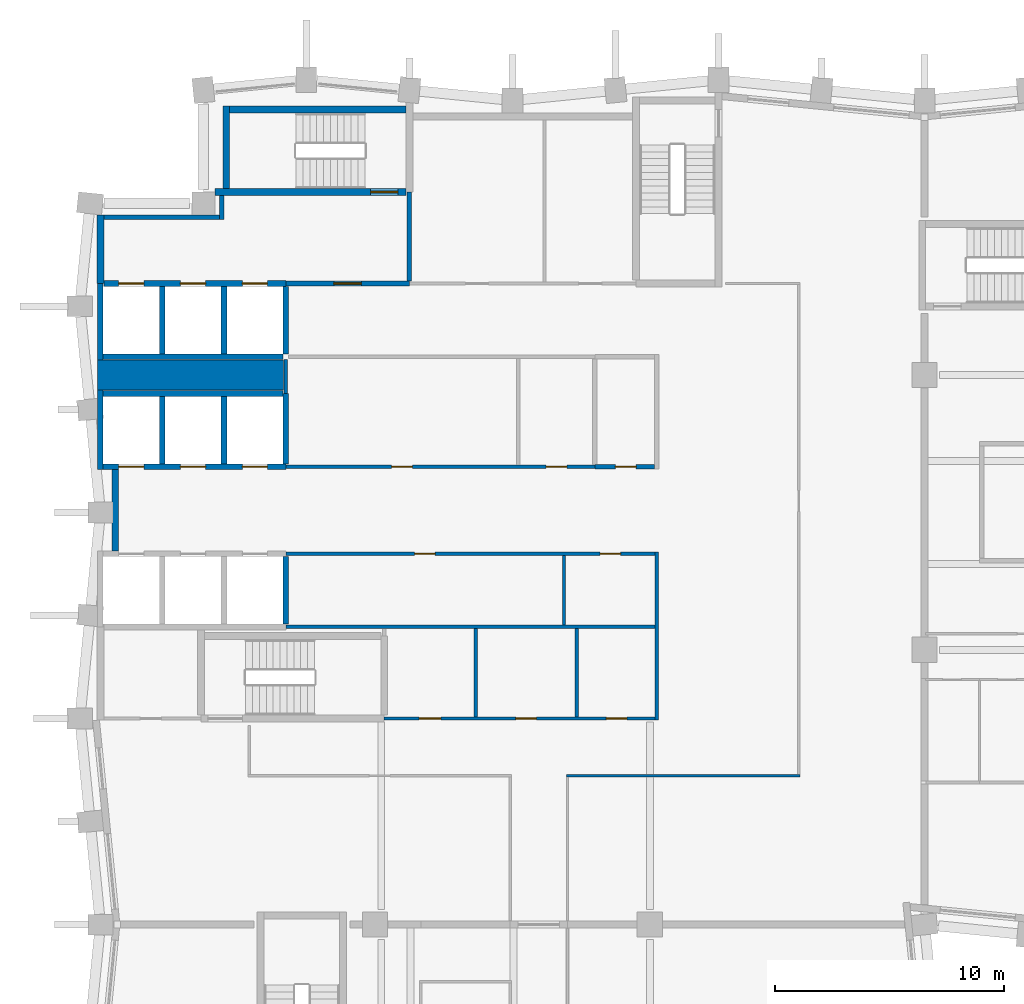
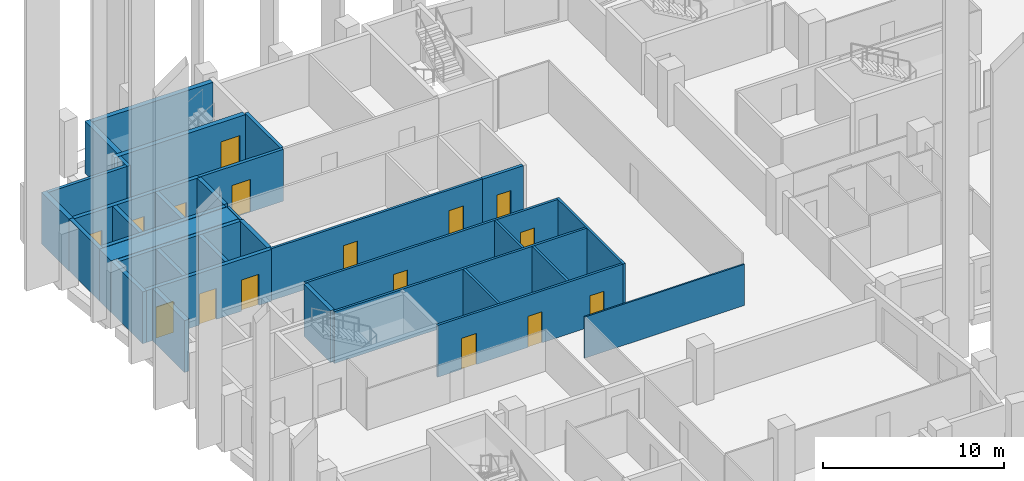
# One storey, part 12 of 18: 34 walls, 16 doors, 16 openings.
"""IFC4 building model written with IfcOpenShell, lengths in metres."""

from ifc_helpers import new_model, si_unit, direction, frame, frame_2d, origin, place, context, subcontext, project, spatial, rectangle, extrude, material, layer, layer_set, type_object, element, fill, save


model = new_model("IFC4")

# Units and contexts
model_context = context("Model", 3, precision=1e-05, world=origin(), true_north=direction((0.0, 1.0)))
body_context = subcontext(model_context, "Body", "Model", "MODEL_VIEW")
ifc_project = project(units=[si_unit("LENGTHUNIT", "METRE"), si_unit("AREAUNIT", "SQUARE_METRE"), si_unit("VOLUMEUNIT", "CUBIC_METRE"), si_unit("PLANEANGLEUNIT", "RADIAN"), si_unit("MASSUNIT", "GRAM", prefix="KILO")], contexts=[model_context])

# Site, building, storey
site_placement = place(None, origin())
site = spatial("IfcSite", under=ifc_project, at=site_placement, CompositionType="ELEMENT")
building_placement = place(site_placement, origin())
building = spatial("IfcBuilding", under=site, at=building_placement, Name="Brondeck Convention Tower", CompositionType="ELEMENT")
storey_placement = place(building_placement, frame((0.0, 0.0, 143.39990234375)))
storey = spatial("IfcBuildingStorey", under=building, at=storey_placement, Name="L34", CompositionType="ELEMENT", Elevation=143.39990234375)

# Wall, openings, doors
ifc_material_1 = material(Name="Concrete C70/85", Category="concrete")
ifc_layer_1 = layer(ifc_material_1, 0.14990234375)
ifc_layer_set_1 = layer_set([ifc_layer_1], Name="Core beam-seat wall 150 Concrete C70/85")
wall_type_1 = type_object("IfcWallType", Name="Core beam-seat wall 150 Concrete C70/85", PredefinedType="SHEAR", material=ifc_layer_set_1)
wall_1_placement = place(storey_placement, frame((12.39990234375, 36.0, 0.0), z_axis=(0.0, 0.0, 1.0), x_axis=(1.0, 0.0, 0.0)))
wall_1 = element("IfcWall", 1, at=wall_1_placement, inside=storey, type_object=wall_type_1, Name="L34 core wall", PredefinedType="SHEAR", context=body_context, shape_type="SweptSolid", body=[
    extrude(rectangle(XDim=11.8251953125, YDim=0.14990234375, at=frame_2d((5.91259765625, 0.0))), origin(), (0.0, 0.0, 1.0), 3.5),
])
opening_1_placement = place(wall_1_placement, frame((1.52490234375, 0.0, 0.0)))
opening_1 = element("IfcOpeningElement", 2, at=opening_1_placement, cuts=wall_1, Name="Opening C20-03", PredefinedType="OPENING", context=body_context, shape_type="SweptSolid", body=[
    extrude(rectangle(XDim=0.949951171875, YDim=2.10009765625, at=frame_2d((0.47509765625, 1.050048828125))), frame((0.0, 0.0849609375, 0.0), z_axis=(0.0, -1.0, 0.0), x_axis=(1.0, 0.0, 0.0)), (0.0, 0.0, 1.0), 0.169921875),
])
opening_2_placement = place(wall_1_placement, frame((5.75, 0.0, 0.0)))
opening_2 = element("IfcOpeningElement", 3, at=opening_2_placement, cuts=wall_1, Name="Opening C20-04", PredefinedType="OPENING", context=body_context, shape_type="SweptSolid", body=[
    extrude(rectangle(XDim=0.89990234375, YDim=2.10009765625, at=frame_2d((0.449951171875, 1.050048828125))), frame((0.0, 0.0849609375, 0.0), z_axis=(0.0, -1.0, 0.0), x_axis=(1.0, 0.0, 0.0)), (0.0, 0.0, 1.0), 0.169921875),
])
opening_3_placement = place(wall_1_placement, frame((9.699951171875, 0.0, 0.0)))
opening_3 = element("IfcOpeningElement", 4, at=opening_3_placement, cuts=wall_1, Name="Opening C20-05", PredefinedType="OPENING", context=body_context, shape_type="SweptSolid", body=[
    extrude(rectangle(XDim=0.89990234375, YDim=2.10009765625, at=frame_2d((0.449951171875, 1.050048828125))), frame((0.0, 0.0849609375, 0.0), z_axis=(0.0, -1.0, 0.0), x_axis=(1.0, 0.0, 0.0)), (0.0, 0.0, 1.0), 0.169921875),
])
ifc_material_2 = material(Name="Steel fire door", Category="steel")
door_type_1 = type_object("IfcDoorType", Name="Room door 900x2100 EI 60", OperationType="NOTDEFINED", PredefinedType="DOOR", material=ifc_material_2)
door_1_placement = place(opening_2_placement, origin())
door_1 = element("IfcDoor", 5, at=door_1_placement, inside=storey, type_object=door_type_1, Name="L34 Room door FR-2", OperationType="SINGLE_SWING_LEFT", OverallHeight=2.10009765625, OverallWidth=0.89990234375, PredefinedType="DOOR", context=body_context, shape_type="SweptSolid", body=[
    extrude(rectangle(XDim=0.89990234375, YDim=2.10009765625, at=frame_2d((0.449951171875, 1.050048828125))), frame((0.0, 0.02490234375, 0.0), z_axis=(0.0, -1.0, 0.0), x_axis=(1.0, 0.0, 0.0)), (0.0, 0.0, 1.0), 0.050048828125),
])
fill(opening_2, door_1)
door_2_placement = place(opening_3_placement, origin())
door_2 = element("IfcDoor", 6, at=door_2_placement, inside=storey, type_object=door_type_1, Name="L34 Room door FR-3", OperationType="SINGLE_SWING_RIGHT", OverallHeight=2.10009765625, OverallWidth=0.89990234375, PredefinedType="DOOR", context=body_context, shape_type="SweptSolid", body=[
    extrude(rectangle(XDim=0.89990234375, YDim=2.10009765625, at=frame_2d((0.449951171875, 1.050048828125))), frame((0.0, 0.02490234375, 0.0), z_axis=(0.0, -1.0, 0.0), x_axis=(1.0, 0.0, 0.0)), (0.0, 0.0, 1.0), 0.050048828125),
])
fill(opening_3, door_2)
door_type_2 = type_object("IfcDoorType", Name="Room door 950x2100 EI 60", OperationType="NOTDEFINED", PredefinedType="DOOR", material=ifc_material_2)
door_3_placement = place(opening_1_placement, origin())
door_3 = element("IfcDoor", 7, at=door_3_placement, inside=storey, type_object=door_type_2, Name="L34 Room door FR-1", OperationType="SINGLE_SWING_RIGHT", OverallHeight=2.10009765625, OverallWidth=0.949951171875, PredefinedType="DOOR", context=body_context, shape_type="SweptSolid", body=[
    extrude(rectangle(XDim=0.949951171875, YDim=2.10009765625, at=frame_2d((0.47509765625, 1.050048828125))), frame((0.0, 0.02490234375, 0.0), z_axis=(0.0, -1.0, 0.0), x_axis=(1.0, 0.0, 0.0)), (0.0, 0.0, 1.0), 0.050048828125),
])
fill(opening_1, door_3)

# Walls
ifc_layer_2 = layer(ifc_material_1, 0.300048828125)
ifc_layer_set_2 = layer_set([ifc_layer_2], Name="Core outer wall 300 Concrete C70/85")
wall_type_2 = type_object("IfcWallType", Name="Core outer wall 300 Concrete C70/85", PredefinedType="SHEAR", material=ifc_layer_set_2)
wall_2_placement = place(storey_placement, frame((0.0, 55.0, 0.0), z_axis=(0.0, 0.0, 1.0), x_axis=(0.0, 1.0, 0.0)))
element("IfcWall", 8, at=wall_2_placement, inside=storey, type_object=wall_type_2, Name="L34 core wall", PredefinedType="SHEAR", context=body_context, shape_type="SweptSolid", body=[
    extrude(rectangle(XDim=3.0, YDim=0.300048828125, at=frame_2d((1.5, 0.0))), origin(), (0.0, 0.0, 1.0), 3.5),
])
wall_3_placement = place(storey_placement, frame((0.64990234375, 43.324951171875, 0.0), z_axis=(0.0, 0.0, 1.0), x_axis=(0.0, 1.0, 0.0)))
element("IfcWall", 9, at=wall_3_placement, inside=storey, type_object=wall_type_2, Name="L34 core wall", PredefinedType="SHEAR", context=body_context, shape_type="SweptSolid", body=[
    extrude(rectangle(XDim=3.550048828125, YDim=0.300048828125, at=frame_2d((1.77490234375, 0.0))), origin(), (0.0, 0.0, 1.0), 3.5),
])
ifc_material_3 = material(Name="Fire-rated gypsum board partition")
ifc_layer_3 = layer(ifc_material_3, 0.14990234375)
ifc_layer_set_3 = layer_set([ifc_layer_3], Name="Core partition 150 EI 60")
wall_type_3 = type_object("IfcWallType", Name="Core partition 150 EI 60", PredefinedType="PARTITIONING", material=ifc_layer_set_3)
wall_4_placement = place(storey_placement, frame((8.10009765625, 40.0, 0.0), z_axis=(0.0, 0.0, 1.0), x_axis=(1.0, 0.0, 0.0)))
element("IfcWall", 10, at=wall_4_placement, inside=storey, type_object=wall_type_3, Name="L34 core wall", PredefinedType="PARTITIONING", context=body_context, shape_type="SweptSolid", body=[
    extrude(rectangle(XDim=16.125, YDim=0.14990234375, at=frame_2d((8.0625, 0.0))), origin(), (0.0, 0.0, 1.0), 3.5),
])

# Wall, openings, doors
wall_5_placement = place(storey_placement, frame((8.10009765625, 43.199951171875, 0.0), z_axis=(0.0, 0.0, 1.0), x_axis=(1.0, 0.0, 0.0)))
wall_5 = element("IfcWall", 11, at=wall_5_placement, inside=storey, type_object=wall_type_3, Name="L34 core wall", PredefinedType="PARTITIONING", context=body_context, shape_type="SweptSolid", body=[
    extrude(rectangle(XDim=16.125, YDim=0.14990234375, at=frame_2d((8.0625, 0.0))), origin(), (0.0, 0.0, 1.0), 3.5),
])
opening_4_placement = place(wall_5_placement, frame((5.625, 0.0, 0.0)))
opening_4 = element("IfcOpeningElement", 12, at=opening_4_placement, cuts=wall_5, Name="Opening C20-09", PredefinedType="OPENING", context=body_context, shape_type="SweptSolid", body=[
    extrude(rectangle(XDim=0.89990234375, YDim=2.10009765625, at=frame_2d((0.449951171875, 1.050048828125))), frame((0.0, 0.0849609375, 0.0), z_axis=(0.0, -1.0, 0.0), x_axis=(1.0, 0.0, 0.0)), (0.0, 0.0, 1.0), 0.169921875),
])
opening_5_placement = place(wall_5_placement, frame((13.72509765625, 0.0, 0.0)))
opening_5 = element("IfcOpeningElement", 13, at=opening_5_placement, cuts=wall_5, Name="Opening C20-10", PredefinedType="OPENING", context=body_context, shape_type="SweptSolid", body=[
    extrude(rectangle(XDim=0.89990234375, YDim=2.10009765625, at=frame_2d((0.449951171875, 1.050048828125))), frame((0.0, 0.0849609375, 0.0), z_axis=(0.0, -1.0, 0.0), x_axis=(1.0, 0.0, 0.0)), (0.0, 0.0, 1.0), 0.169921875),
])
door_4_placement = place(opening_4_placement, origin())
door_4 = element("IfcDoor", 14, at=door_4_placement, inside=storey, type_object=door_type_1, Name="L34 Room door FZ-S-8.1-1", OperationType="SINGLE_SWING_RIGHT", OverallHeight=2.10009765625, OverallWidth=0.89990234375, PredefinedType="DOOR", context=body_context, shape_type="SweptSolid", body=[
    extrude(rectangle(XDim=0.89990234375, YDim=2.10009765625, at=frame_2d((0.449951171875, 1.050048828125))), frame((0.0, 0.02490234375, 0.0), z_axis=(0.0, -1.0, 0.0), x_axis=(1.0, 0.0, 0.0)), (0.0, 0.0, 1.0), 0.050048828125),
])
fill(opening_4, door_4)
door_5_placement = place(opening_5_placement, origin())
door_5 = element("IfcDoor", 15, at=door_5_placement, inside=storey, type_object=door_type_1, Name="L34 Room door FZ-S-8.1-2", OperationType="SINGLE_SWING_LEFT", OverallHeight=2.10009765625, OverallWidth=0.89990234375, PredefinedType="DOOR", context=body_context, shape_type="SweptSolid", body=[
    extrude(rectangle(XDim=0.89990234375, YDim=2.10009765625, at=frame_2d((0.449951171875, 1.050048828125))), frame((0.0, 0.02490234375, 0.0), z_axis=(0.0, -1.0, 0.0), x_axis=(1.0, 0.0, 0.0)), (0.0, 0.0, 1.0), 0.050048828125),
])
fill(opening_5, door_5)

wall_6_placement = place(storey_placement, frame((8.10009765625, 47.0, 0.0), z_axis=(0.0, 0.0, 1.0), x_axis=(1.0, 0.0, 0.0)))
wall_6 = element("IfcWall", 16, at=wall_6_placement, inside=storey, type_object=wall_type_3, Name="L34 core wall", PredefinedType="PARTITIONING", context=body_context, shape_type="SweptSolid", body=[
    extrude(rectangle(XDim=13.5, YDim=0.14990234375, at=frame_2d((6.75, 0.0))), origin(), (0.0, 0.0, 1.0), 3.5),
])
opening_6_placement = place(wall_6_placement, frame((4.625, 0.0, 0.0)))
opening_6 = element("IfcOpeningElement", 17, at=opening_6_placement, cuts=wall_6, Name="Opening C20-07", PredefinedType="OPENING", context=body_context, shape_type="SweptSolid", body=[
    extrude(rectangle(XDim=0.89990234375, YDim=2.10009765625, at=frame_2d((0.449951171875, 1.050048828125))), frame((0.0, 0.0849609375, 0.0), z_axis=(0.0, -1.0, 0.0), x_axis=(1.0, 0.0, 0.0)), (0.0, 0.0, 1.0), 0.169921875),
])
opening_7_placement = place(wall_6_placement, frame((11.375, 0.0, 0.0)))
opening_7 = element("IfcOpeningElement", 18, at=opening_7_placement, cuts=wall_6, Name="Opening C20-08", PredefinedType="OPENING", context=body_context, shape_type="SweptSolid", body=[
    extrude(rectangle(XDim=0.89990234375, YDim=2.10009765625, at=frame_2d((0.449951171875, 1.050048828125))), frame((0.0, 0.0849609375, 0.0), z_axis=(0.0, -1.0, 0.0), x_axis=(1.0, 0.0, 0.0)), (0.0, 0.0, 1.0), 0.169921875),
])
door_6_placement = place(opening_6_placement, origin())
door_6 = element("IfcDoor", 19, at=door_6_placement, inside=storey, type_object=door_type_1, Name="L34 Room door FZ-N-8.1-1", OperationType="SINGLE_SWING_LEFT", OverallHeight=2.10009765625, OverallWidth=0.89990234375, PredefinedType="DOOR", context=body_context, shape_type="SweptSolid", body=[
    extrude(rectangle(XDim=0.89990234375, YDim=2.10009765625, at=frame_2d((0.449951171875, 1.050048828125))), frame((0.0, 0.02490234375, 0.0), z_axis=(0.0, -1.0, 0.0), x_axis=(1.0, 0.0, 0.0)), (0.0, 0.0, 1.0), 0.050048828125),
])
fill(opening_6, door_6)
door_7_placement = place(opening_7_placement, origin())
door_7 = element("IfcDoor", 20, at=door_7_placement, inside=storey, type_object=door_type_1, Name="L34 Room door FZ-N-8.1-2", OperationType="SINGLE_SWING_RIGHT", OverallHeight=2.10009765625, OverallWidth=0.89990234375, PredefinedType="DOOR", context=body_context, shape_type="SweptSolid", body=[
    extrude(rectangle(XDim=0.89990234375, YDim=2.10009765625, at=frame_2d((0.449951171875, 1.050048828125))), frame((0.0, 0.02490234375, 0.0), z_axis=(0.0, -1.0, 0.0), x_axis=(1.0, 0.0, 0.0)), (0.0, 0.0, 1.0), 0.050048828125),
])
fill(opening_7, door_7)

# Walls
wall_7_placement = place(storey_placement, frame((8.10009765625, 50.199951171875, 0.0), z_axis=(0.0, 0.0, 1.0), x_axis=(0.0, 1.0, 0.0)))
element("IfcWall", 21, at=wall_7_placement, inside=storey, type_object=wall_type_3, Name="L34 core wall", PredefinedType="PARTITIONING", context=body_context, shape_type="SweptSolid", body=[
    extrude(rectangle(XDim=1.47509765625, YDim=0.14990234375, at=frame_2d((0.737548828125, 0.0))), origin(), (0.0, 0.0, 1.0), 3.5),
])
wall_8_placement = place(storey_placement, frame((16.39990234375, 36.074951171875, 0.0), z_axis=(0.0, 0.0, 1.0), x_axis=(0.0, 1.0, 0.0)))
element("IfcWall", 22, at=wall_8_placement, inside=storey, type_object=wall_type_3, Name="L34 core wall", PredefinedType="PARTITIONING", context=body_context, shape_type="SweptSolid", body=[
    extrude(rectangle(XDim=3.85009765625, YDim=0.14990234375, at=frame_2d((1.925048828125, 0.0))), origin(), (0.0, 0.0, 1.0), 3.5),
])
wall_9_placement = place(storey_placement, frame((20.25, 40.074951171875, 0.0), z_axis=(0.0, 0.0, 1.0), x_axis=(0.0, 1.0, 0.0)))
element("IfcWall", 23, at=wall_9_placement, inside=storey, type_object=wall_type_3, Name="L34 core wall", PredefinedType="PARTITIONING", context=body_context, shape_type="SweptSolid", body=[
    extrude(rectangle(XDim=3.050048828125, YDim=0.14990234375, at=frame_2d((1.52490234375, 0.0))), origin(), (0.0, 0.0, 1.0), 3.5),
])
wall_10_placement = place(storey_placement, frame((20.800048828125, 36.074951171875, 0.0), z_axis=(0.0, 0.0, 1.0), x_axis=(0.0, 1.0, 0.0)))
element("IfcWall", 24, at=wall_10_placement, inside=storey, type_object=wall_type_3, Name="L34 core wall", PredefinedType="PARTITIONING", context=body_context, shape_type="SweptSolid", body=[
    extrude(rectangle(XDim=3.85009765625, YDim=0.14990234375, at=frame_2d((1.925048828125, 0.0))), origin(), (0.0, 0.0, 1.0), 3.5),
])
wall_11_placement = place(storey_placement, frame((24.300048828125, 35.925048828125, 0.0), z_axis=(0.0, 0.0, 1.0), x_axis=(0.0, 1.0, 0.0)))
element("IfcWall", 25, at=wall_11_placement, inside=storey, type_object=wall_type_3, Name="L34 core wall", PredefinedType="PARTITIONING", context=body_context, shape_type="SweptSolid", body=[
    extrude(rectangle(XDim=7.349853515625, YDim=0.14990234375, at=frame_2d((3.6748046875, 0.0))), origin(), (0.0, 0.0, 1.0), 3.5),
])
ifc_layer_4 = layer(ifc_material_1, 1.300048828125)
ifc_layer_set_4 = layer_set([ifc_layer_4], Name="Core shear wall 1300 Concrete C70/85")
wall_type_4 = type_object("IfcWallType", Name="Core shear wall 1300 Concrete C70/85", PredefinedType="SHEAR", material=ifc_layer_set_4)
wall_12_placement = place(storey_placement, frame((-0.125, 51.0, 0.0), z_axis=(0.0, 0.0, 1.0), x_axis=(1.0, 0.0, 0.0)))
element("IfcWall", 26, at=wall_12_placement, inside=storey, type_object=wall_type_4, Name="L34 core wall", PredefinedType="SHEAR", context=body_context, shape_type="SweptSolid", body=[
    extrude(rectangle(XDim=8.125, YDim=1.300048828125, at=frame_2d((4.0625, 0.0))), origin(), (0.0, 0.0, 1.0), 3.5),
])

# Wall, opening, door
ifc_layer_5 = layer(ifc_material_3, 0.199951171875)
ifc_layer_set_5 = layer_set([ifc_layer_5], Name="Firefighting lobby wall 200 EI 120")
wall_type_5 = type_object("IfcWallType", Name="Firefighting lobby wall 200 EI 120", PredefinedType="PARTITIONING", material=ifc_layer_set_5)
wall_13_placement = place(storey_placement, frame((8.10009765625, 55.0, 0.0), z_axis=(0.0, 0.0, 1.0), x_axis=(1.0, 0.0, 0.0)))
wall_13 = element("IfcWall", 27, at=wall_13_placement, inside=storey, type_object=wall_type_5, Name="L34 core wall", PredefinedType="PARTITIONING", context=body_context, shape_type="SweptSolid", body=[
    extrude(rectangle(XDim=5.39990234375, YDim=0.199951171875, at=frame_2d((2.699951171875, 0.0))), origin(), (0.0, 0.0, 1.0), 3.5),
])
opening_8_placement = place(wall_13_placement, frame((2.10009765625, 0.0, 0.0)))
opening_8 = element("IfcOpeningElement", 28, at=opening_8_placement, cuts=wall_13, Name="Opening C20-01", PredefinedType="OPENING", context=body_context, shape_type="SweptSolid", body=[
    extrude(rectangle(XDim=1.199951171875, YDim=2.199951171875, at=frame_2d((0.60009765625, 1.10009765625))), frame((0.0, 0.10986328125, 0.0), z_axis=(0.0, -1.0, 0.0), x_axis=(1.0, 0.0, 0.0)), (0.0, 0.0, 1.0), 0.219970703125),
])
door_type_3 = type_object("IfcDoorType", Name="Firefighting lobby door 1200x2200 EI 120", OperationType="NOTDEFINED", PredefinedType="DOOR", material=ifc_material_2)
door_8_placement = place(opening_8_placement, origin())
door_8 = element("IfcDoor", 29, at=door_8_placement, inside=storey, type_object=door_type_3, Name="L34 Firefighting lobby door FFL-1", OperationType="SINGLE_SWING_RIGHT", OverallHeight=2.199951171875, OverallWidth=1.199951171875, PredefinedType="DOOR", context=body_context, shape_type="SweptSolid", body=[
    extrude(rectangle(XDim=1.199951171875, YDim=2.199951171875, at=frame_2d((0.60009765625, 1.10009765625))), frame((0.0, 0.02490234375, 0.0), z_axis=(0.0, -1.0, 0.0), x_axis=(1.0, 0.0, 0.0)), (0.0, 0.0, 1.0), 0.050048828125),
])
fill(opening_8, door_8)

# Walls
wall_14_placement = place(storey_placement, frame((0.14990234375, 57.89990234375, 0.0), z_axis=(0.0, 0.0, 1.0), x_axis=(1.0, 0.0, 0.0)))
element("IfcWall", 30, at=wall_14_placement, inside=storey, type_object=wall_type_5, Name="L34 core wall", PredefinedType="PARTITIONING", context=body_context, shape_type="SweptSolid", body=[
    extrude(rectangle(XDim=5.050048828125, YDim=0.199951171875, at=frame_2d((2.52490234375, 0.0))), origin(), (0.0, 0.0, 1.0), 3.5),
])
wall_15_placement = place(storey_placement, frame((5.300048828125, 57.800048828125, 0.0), z_axis=(0.0, 0.0, 1.0), x_axis=(0.0, 1.0, 0.0)))
element("IfcWall", 31, at=wall_15_placement, inside=storey, type_object=wall_type_5, Name="L34 core wall", PredefinedType="PARTITIONING", context=body_context, shape_type="SweptSolid", body=[
    extrude(rectangle(XDim=1.050048828125, YDim=0.199951171875, at=frame_2d((0.52490234375, 0.0))), origin(), (0.0, 0.0, 1.0), 3.5),
])
wall_16_placement = place(storey_placement, frame((13.5, 55.10009765625, 0.0), z_axis=(0.0, 0.0, 1.0), x_axis=(0.0, 1.0, 0.0)))
element("IfcWall", 32, at=wall_16_placement, inside=storey, type_object=wall_type_5, Name="L34 core wall", PredefinedType="PARTITIONING", context=body_context, shape_type="SweptSolid", body=[
    extrude(rectangle(XDim=3.89990234375, YDim=0.199951171875, at=frame_2d((1.949951171875, 0.0))), origin(), (0.0, 0.0, 1.0), 3.5),
])

# Wall, openings, doors
ifc_layer_6 = layer(ifc_material_1, 0.25)
ifc_layer_set_6 = layer_set([ifc_layer_6], Name="Lift shaft wall 250 Concrete C70/85")
wall_type_6 = type_object("IfcWallType", Name="Lift shaft wall 250 Concrete C70/85", PredefinedType="SHEAR", material=ifc_layer_set_6)
wall_17_placement = place(storey_placement, frame((0.125, 47.0, 0.0), z_axis=(0.0, 0.0, 1.0), x_axis=(1.0, 0.0, 0.0)))
wall_17 = element("IfcWall", 33, at=wall_17_placement, inside=storey, type_object=wall_type_6, Name="L34 core wall", PredefinedType="SHEAR", context=body_context, shape_type="SweptSolid", body=[
    extrude(rectangle(XDim=7.97509765625, YDim=0.25, at=frame_2d((3.987548828125, 0.0))), origin(), (0.0, 0.0, 1.0), 3.5),
])
opening_9_placement = place(wall_17_placement, frame((0.675048828125, 0.0, 0.0)))
opening_9 = element("IfcOpeningElement", 34, at=opening_9_placement, cuts=wall_17, Name="Opening C20-26", PredefinedType="OPENING", context=body_context, shape_type="SweptSolid", body=[
    extrude(rectangle(XDim=1.10009765625, YDim=2.10009765625, at=frame_2d((0.550048828125, 1.050048828125))), frame((0.0, 0.135009765625, 0.0), z_axis=(0.0, -1.0, 0.0), x_axis=(1.0, 0.0, 0.0)), (0.0, 0.0, 1.0), 0.27001953125),
])
opening_10_placement = place(wall_17_placement, frame((3.375, 0.0, 0.0)))
opening_10 = element("IfcOpeningElement", 35, at=opening_10_placement, cuts=wall_17, Name="Opening C20-27", PredefinedType="OPENING", context=body_context, shape_type="SweptSolid", body=[
    extrude(rectangle(XDim=1.10009765625, YDim=2.10009765625, at=frame_2d((0.550048828125, 1.050048828125))), frame((0.0, 0.135009765625, 0.0), z_axis=(0.0, -1.0, 0.0), x_axis=(1.0, 0.0, 0.0)), (0.0, 0.0, 1.0), 0.27001953125),
])
opening_11_placement = place(wall_17_placement, frame((6.074951171875, 0.0, 0.0)))
opening_11 = element("IfcOpeningElement", 36, at=opening_11_placement, cuts=wall_17, Name="Opening C20-28", PredefinedType="OPENING", context=body_context, shape_type="SweptSolid", body=[
    extrude(rectangle(XDim=1.10009765625, YDim=2.10009765625, at=frame_2d((0.550048828125, 1.050048828125))), frame((0.0, 0.135009765625, 0.0), z_axis=(0.0, -1.0, 0.0), x_axis=(1.0, 0.0, 0.0)), (0.0, 0.0, 1.0), 0.27001953125),
])
ifc_material_4 = material(Name="Stainless steel lift door", Category="steel")
door_type_4 = type_object("IfcDoorType", Name="Lift landing door 1100x2100 EI 180", OperationType="DOUBLE_DOOR_SLIDING", PredefinedType="DOOR", material=ifc_material_4)
door_9_placement = place(opening_9_placement, origin())
door_9 = element("IfcDoor", 37, at=door_9_placement, inside=storey, type_object=door_type_4, Name="L34 Lift landing door HR4", OperationType="DOUBLE_DOOR_SLIDING", OverallHeight=2.10009765625, OverallWidth=1.10009765625, PredefinedType="DOOR", context=body_context, shape_type="SweptSolid", body=[
    extrude(rectangle(XDim=1.10009765625, YDim=2.10009765625, at=frame_2d((0.550048828125, 1.050048828125))), frame((0.0, 0.02490234375, 0.0), z_axis=(0.0, -1.0, 0.0), x_axis=(1.0, 0.0, 0.0)), (0.0, 0.0, 1.0), 0.050048828125),
])
fill(opening_9, door_9)
door_10_placement = place(opening_10_placement, origin())
door_10 = element("IfcDoor", 38, at=door_10_placement, inside=storey, type_object=door_type_4, Name="L34 Lift landing door HR5", OperationType="DOUBLE_DOOR_SLIDING", OverallHeight=2.10009765625, OverallWidth=1.10009765625, PredefinedType="DOOR", context=body_context, shape_type="SweptSolid", body=[
    extrude(rectangle(XDim=1.10009765625, YDim=2.10009765625, at=frame_2d((0.550048828125, 1.050048828125))), frame((0.0, 0.02490234375, 0.0), z_axis=(0.0, -1.0, 0.0), x_axis=(1.0, 0.0, 0.0)), (0.0, 0.0, 1.0), 0.050048828125),
])
fill(opening_10, door_10)
door_11_placement = place(opening_11_placement, origin())
door_11 = element("IfcDoor", 39, at=door_11_placement, inside=storey, type_object=door_type_4, Name="L34 Lift landing door HR6", OperationType="DOUBLE_DOOR_SLIDING", OverallHeight=2.10009765625, OverallWidth=1.10009765625, PredefinedType="DOOR", context=body_context, shape_type="SweptSolid", body=[
    extrude(rectangle(XDim=1.10009765625, YDim=2.10009765625, at=frame_2d((0.550048828125, 1.050048828125))), frame((0.0, 0.02490234375, 0.0), z_axis=(0.0, -1.0, 0.0), x_axis=(1.0, 0.0, 0.0)), (0.0, 0.0, 1.0), 0.050048828125),
])
fill(opening_11, door_11)

# Walls
for number, where, z_axis, x_axis, name in (
    (40, (0.125, 50.199951171875, 0.0), (0.0, 0.0, 1.0), (1.0, 0.0, 0.0), "L34 core wall"),
    (41, (0.125, 51.800048828125, 0.0), (0.0, 0.0, 1.0), (1.0, 0.0, 0.0), "L34 core wall"),
):
    element("IfcWall", number, at=place(storey_placement, frame(where, z_axis=z_axis, x_axis=x_axis)), inside=storey, type_object=wall_type_6, Name=name, PredefinedType="SHEAR", context=body_context, shape_type="SweptSolid", body=[
        extrude(rectangle(XDim=7.85009765625, YDim=0.25, at=frame_2d((3.925048828125, 0.0))), origin(), (0.0, 0.0, 1.0), 3.5),
    ])

# Wall, openings, doors
wall_18_placement = place(storey_placement, frame((0.14990234375, 55.0, 0.0), z_axis=(0.0, 0.0, 1.0), x_axis=(1.0, 0.0, 0.0)))
wall_18 = element("IfcWall", 42, at=wall_18_placement, inside=storey, type_object=wall_type_6, Name="L34 core wall", PredefinedType="SHEAR", context=body_context, shape_type="SweptSolid", body=[
    extrude(rectangle(XDim=7.9501953125, YDim=0.25, at=frame_2d((3.97509765625, 0.0))), origin(), (0.0, 0.0, 1.0), 3.5),
])
opening_12_placement = place(wall_18_placement, frame((0.64990234375, 0.0, 0.0)))
opening_12 = element("IfcOpeningElement", 43, at=opening_12_placement, cuts=wall_18, Name="Opening C20-20", PredefinedType="OPENING", context=body_context, shape_type="SweptSolid", body=[
    extrude(rectangle(XDim=1.10009765625, YDim=2.10009765625, at=frame_2d((0.550048828125, 1.050048828125))), frame((0.0, 0.135009765625, 0.0), z_axis=(0.0, -1.0, 0.0), x_axis=(1.0, 0.0, 0.0)), (0.0, 0.0, 1.0), 0.27001953125),
])
opening_13_placement = place(wall_18_placement, frame((3.35009765625, 0.0, 0.0)))
opening_13 = element("IfcOpeningElement", 44, at=opening_13_placement, cuts=wall_18, Name="Opening C20-21", PredefinedType="OPENING", context=body_context, shape_type="SweptSolid", body=[
    extrude(rectangle(XDim=1.10009765625, YDim=2.10009765625, at=frame_2d((0.550048828125, 1.050048828125))), frame((0.0, 0.135009765625, 0.0), z_axis=(0.0, -1.0, 0.0), x_axis=(1.0, 0.0, 0.0)), (0.0, 0.0, 1.0), 0.27001953125),
])
opening_14_placement = place(wall_18_placement, frame((6.050048828125, 0.0, 0.0)))
opening_14 = element("IfcOpeningElement", 45, at=opening_14_placement, cuts=wall_18, Name="Opening C20-22", PredefinedType="OPENING", context=body_context, shape_type="SweptSolid", body=[
    extrude(rectangle(XDim=1.10009765625, YDim=2.10009765625, at=frame_2d((0.550048828125, 1.050048828125))), frame((0.0, 0.135009765625, 0.0), z_axis=(0.0, -1.0, 0.0), x_axis=(1.0, 0.0, 0.0)), (0.0, 0.0, 1.0), 0.27001953125),
])
door_12_placement = place(opening_12_placement, origin())
door_12 = element("IfcDoor", 46, at=door_12_placement, inside=storey, type_object=door_type_4, Name="L34 Lift landing door FF1", OperationType="DOUBLE_DOOR_SLIDING", OverallHeight=2.10009765625, OverallWidth=1.10009765625, PredefinedType="DOOR", context=body_context, shape_type="SweptSolid", body=[
    extrude(rectangle(XDim=1.10009765625, YDim=2.10009765625, at=frame_2d((0.550048828125, 1.050048828125))), frame((0.0, 0.02490234375, 0.0), z_axis=(0.0, -1.0, 0.0), x_axis=(1.0, 0.0, 0.0)), (0.0, 0.0, 1.0), 0.050048828125),
])
fill(opening_12, door_12)
door_13_placement = place(opening_13_placement, origin())
door_13 = element("IfcDoor", 47, at=door_13_placement, inside=storey, type_object=door_type_4, Name="L34 Lift landing door FF2", OperationType="DOUBLE_DOOR_SLIDING", OverallHeight=2.10009765625, OverallWidth=1.10009765625, PredefinedType="DOOR", context=body_context, shape_type="SweptSolid", body=[
    extrude(rectangle(XDim=1.10009765625, YDim=2.10009765625, at=frame_2d((0.550048828125, 1.050048828125))), frame((0.0, 0.02490234375, 0.0), z_axis=(0.0, -1.0, 0.0), x_axis=(1.0, 0.0, 0.0)), (0.0, 0.0, 1.0), 0.050048828125),
])
fill(opening_13, door_13)
door_14_placement = place(opening_14_placement, origin())
door_14 = element("IfcDoor", 48, at=door_14_placement, inside=storey, type_object=door_type_4, Name="L34 Lift landing door FF3", OperationType="DOUBLE_DOOR_SLIDING", OverallHeight=2.10009765625, OverallWidth=1.10009765625, PredefinedType="DOOR", context=body_context, shape_type="SweptSolid", body=[
    extrude(rectangle(XDim=1.10009765625, YDim=2.10009765625, at=frame_2d((0.550048828125, 1.050048828125))), frame((0.0, 0.02490234375, 0.0), z_axis=(0.0, -1.0, 0.0), x_axis=(1.0, 0.0, 0.0)), (0.0, 0.0, 1.0), 0.050048828125),
])
fill(opening_14, door_14)

# Walls
wall_19_placement = place(storey_placement, frame((0.0, 46.875, 0.0), z_axis=(0.0, 0.0, 1.0), x_axis=(0.0, 1.0, 0.0)))
element("IfcWall", 49, at=wall_19_placement, inside=storey, type_object=wall_type_6, Name="L34 core wall", PredefinedType="SHEAR", context=body_context, shape_type="SweptSolid", body=[
    extrude(rectangle(XDim=3.47509765625, YDim=0.25, at=frame_2d((1.737548828125, 0.0))), origin(), (0.0, 0.0, 1.0), 3.5),
])
wall_20_placement = place(storey_placement, frame((0.0, 51.64990234375, 0.0), z_axis=(0.0, 0.0, 1.0), x_axis=(0.0, 1.0, 0.0)))
element("IfcWall", 50, at=wall_20_placement, inside=storey, type_object=wall_type_6, Name="L34 core wall", PredefinedType="SHEAR", context=body_context, shape_type="SweptSolid", body=[
    extrude(rectangle(XDim=3.35009765625, YDim=0.25, at=frame_2d((1.675048828125, 0.0))), origin(), (0.0, 0.0, 1.0), 3.5),
])
for number, where, z_axis, x_axis, name in (
    (51, (2.699951171875, 47.125, 0.0), (0.0, 0.0, 1.0), (0.0, 1.0, 0.0), "L34 core wall"),
    (52, (2.699951171875, 51.925048828125, 0.0), (0.0, 0.0, 1.0), (0.0, 1.0, 0.0), "L34 core wall"),
    (53, (5.39990234375, 47.125, 0.0), (0.0, 0.0, 1.0), (0.0, 1.0, 0.0), "L34 core wall"),
    (54, (5.39990234375, 51.925048828125, 0.0), (0.0, 0.0, 1.0), (0.0, 1.0, 0.0), "L34 core wall"),
    (55, (8.10009765625, 40.125, 0.0), (0.0, 0.0, 1.0), (0.0, 1.0, 0.0), "L34 core wall"),
):
    element("IfcWall", number, at=place(storey_placement, frame(where, z_axis=z_axis, x_axis=x_axis)), inside=storey, type_object=wall_type_6, Name=name, PredefinedType="SHEAR", context=body_context, shape_type="SweptSolid", body=[
        extrude(rectangle(XDim=2.949951171875, YDim=0.25, at=frame_2d((1.47509765625, 0.0))), origin(), (0.0, 0.0, 1.0), 3.5),
    ])
wall_21_placement = place(storey_placement, frame((8.10009765625, 47.125, 0.0), z_axis=(0.0, 0.0, 1.0), x_axis=(0.0, 1.0, 0.0)))
element("IfcWall", 56, at=wall_21_placement, inside=storey, type_object=wall_type_6, Name="L34 core wall", PredefinedType="SHEAR", context=body_context, shape_type="SweptSolid", body=[
    extrude(rectangle(XDim=3.074951171875, YDim=0.25, at=frame_2d((1.53759765625, 0.0))), origin(), (0.0, 0.0, 1.0), 3.5),
])
wall_22_placement = place(storey_placement, frame((8.10009765625, 51.925048828125, 0.0), z_axis=(0.0, 0.0, 1.0), x_axis=(0.0, 1.0, 0.0)))
element("IfcWall", 57, at=wall_22_placement, inside=storey, type_object=wall_type_6, Name="L34 core wall", PredefinedType="SHEAR", context=body_context, shape_type="SweptSolid", body=[
    extrude(rectangle(XDim=2.949951171875, YDim=0.25, at=frame_2d((1.47509765625, 0.0))), origin(), (0.0, 0.0, 1.0), 3.5),
])

# Wall, opening, door
ifc_layer_7 = layer(ifc_material_3, 0.199951171875)
ifc_layer_set_7 = layer_set([ifc_layer_7], Name="Riser wall 200 EI 120")
wall_type_7 = type_object("IfcWallType", Name="Riser wall 200 EI 120", PredefinedType="PARTITIONING", material=ifc_layer_set_7)
wall_23_placement = place(storey_placement, frame((21.60009765625, 47.0, 0.0), z_axis=(0.0, 0.0, 1.0), x_axis=(1.0, 0.0, 0.0)))
wall_23 = element("IfcWall", 58, at=wall_23_placement, inside=storey, type_object=wall_type_7, Name="L34 core wall", PredefinedType="PARTITIONING", context=body_context, shape_type="SweptSolid", body=[
    extrude(rectangle(XDim=2.599853515625, YDim=0.199951171875, at=frame_2d((1.2998046875, 0.0))), origin(), (0.0, 0.0, 1.0), 3.5),
])
opening_15_placement = place(wall_23_placement, frame((0.89990234375, 0.0, 0.0)))
opening_15 = element("IfcOpeningElement", 59, at=opening_15_placement, cuts=wall_23, Name="Opening C20-02", PredefinedType="OPENING", context=body_context, shape_type="SweptSolid", body=[
    extrude(rectangle(XDim=0.89990234375, YDim=2.10009765625, at=frame_2d((0.449951171875, 1.050048828125))), frame((0.0, 0.10986328125, 0.0), z_axis=(0.0, -1.0, 0.0), x_axis=(1.0, 0.0, 0.0)), (0.0, 0.0, 1.0), 0.219970703125),
])
door_type_5 = type_object("IfcDoorType", Name="Riser door 900x2100 EI 120", OperationType="NOTDEFINED", PredefinedType="DOOR", material=ifc_material_2)
door_15_placement = place(opening_15_placement, origin())
door_15 = element("IfcDoor", 60, at=door_15_placement, inside=storey, type_object=door_type_5, Name="L34 Riser door EN-1", OperationType="SINGLE_SWING_LEFT", OverallHeight=2.10009765625, OverallWidth=0.89990234375, PredefinedType="DOOR", context=body_context, shape_type="SweptSolid", body=[
    extrude(rectangle(XDim=0.89990234375, YDim=2.10009765625, at=frame_2d((0.449951171875, 1.050048828125))), frame((0.0, 0.02490234375, 0.0), z_axis=(0.0, -1.0, 0.0), x_axis=(1.0, 0.0, 0.0)), (0.0, 0.0, 1.0), 0.050048828125),
])
fill(opening_15, door_15)

# Wall
ifc_material_5 = material(Name="Gypsum board partition on steel studs", Category="steel")
ifc_layer_8 = layer(ifc_material_5, 0.10009765625)
ifc_layer_set_8 = layer_set([ifc_layer_8], Name="Room partition 100")
wall_type_8 = type_object("IfcWallType", Name="Room partition 100", PredefinedType="PARTITIONING", material=ifc_layer_set_8)
wall_24_placement = place(storey_placement, frame((30.550048828125, 33.5, 0.0), z_axis=(0.0, 0.0, 1.0), x_axis=(-1.0, 0.0, 0.0)))
element("IfcWall", 61, at=wall_24_placement, inside=storey, type_object=wall_type_8, Name="FLR-L34-W038", PredefinedType="PARTITIONING", context=body_context, shape_type="SweptSolid", body=[
    extrude(rectangle(XDim=10.199951171875, YDim=0.10009765625, at=frame_2d((5.10009765625, 0.0))), origin(), (0.0, 0.0, 1.0), 2.780029296875),
])

# Wall, opening, door
ifc_layer_9 = layer(ifc_material_1, 0.300048828125)
ifc_layer_set_9 = layer_set([ifc_layer_9], Name="Stair enclosure wall 300 Concrete C70/85")
wall_type_9 = type_object("IfcWallType", Name="Stair enclosure wall 300 Concrete C70/85", PredefinedType="SHEAR", material=ifc_layer_set_9)
wall_25_placement = place(storey_placement, frame((5.0, 59.0, 0.0), z_axis=(0.0, 0.0, 1.0), x_axis=(1.0, 0.0, 0.0)))
wall_25 = element("IfcWall", 62, at=wall_25_placement, inside=storey, type_object=wall_type_9, Name="L34 core wall", PredefinedType="SHEAR", context=body_context, shape_type="SweptSolid", body=[
    extrude(rectangle(XDim=8.35009765625, YDim=0.300048828125, at=frame_2d((4.175048828125, 0.0))), origin(), (0.0, 0.0, 1.0), 3.5),
])
opening_16_placement = place(wall_25_placement, frame((6.800048828125, 0.0, 0.0)))
opening_16 = element("IfcOpeningElement", 63, at=opening_16_placement, cuts=wall_25, Name="Opening C20-15", PredefinedType="OPENING", context=body_context, shape_type="SweptSolid", body=[
    extrude(rectangle(XDim=1.199951171875, YDim=2.199951171875, at=frame_2d((0.60009765625, 1.10009765625))), frame((0.0, 0.159912109375, 0.0), z_axis=(0.0, -1.0, 0.0), x_axis=(1.0, 0.0, 0.0)), (0.0, 0.0, 1.0), 0.320068359375),
])
door_type_6 = type_object("IfcDoorType", Name="Stair door 1200x2200 EI 120", OperationType="NOTDEFINED", PredefinedType="DOOR", material=ifc_material_2)
door_16_placement = place(opening_16_placement, origin())
door_16 = element("IfcDoor", 64, at=door_16_placement, inside=storey, type_object=door_type_6, Name="L34 Stair door ST-3", OperationType="SINGLE_SWING_RIGHT", OverallHeight=2.199951171875, OverallWidth=1.199951171875, PredefinedType="DOOR", context=body_context, shape_type="SweptSolid", body=[
    extrude(rectangle(XDim=1.199951171875, YDim=2.199951171875, at=frame_2d((0.60009765625, 1.10009765625))), frame((0.0, 0.02490234375, 0.0), z_axis=(0.0, -1.0, 0.0), x_axis=(1.0, 0.0, 0.0)), (0.0, 0.0, 1.0), 0.050048828125),
])
fill(opening_16, door_16)

# Walls
wall_26_placement = place(storey_placement, frame((5.64990234375, 62.60009765625, 0.0), z_axis=(0.0, 0.0, 1.0), x_axis=(1.0, 0.0, 0.0)))
element("IfcWall", 65, at=wall_26_placement, inside=storey, type_object=wall_type_9, Name="L34 core wall", PredefinedType="SHEAR", context=body_context, shape_type="SweptSolid", body=[
    extrude(rectangle(XDim=7.7001953125, YDim=0.300048828125, at=frame_2d((3.85009765625, 0.0))), origin(), (0.0, 0.0, 1.0), 3.5),
])
wall_27_placement = place(storey_placement, frame((5.5, 59.14990234375, 0.0), z_axis=(0.0, 0.0, 1.0), x_axis=(0.0, 1.0, 0.0)))
element("IfcWall", 66, at=wall_27_placement, inside=storey, type_object=wall_type_9, Name="L34 core wall", PredefinedType="SHEAR", context=body_context, shape_type="SweptSolid", body=[
    extrude(rectangle(XDim=3.60009765625, YDim=0.300048828125, at=frame_2d((1.800048828125, 0.0))), origin(), (0.0, 0.0, 1.0), 3.5),
])

save(model, "model.ifc")
